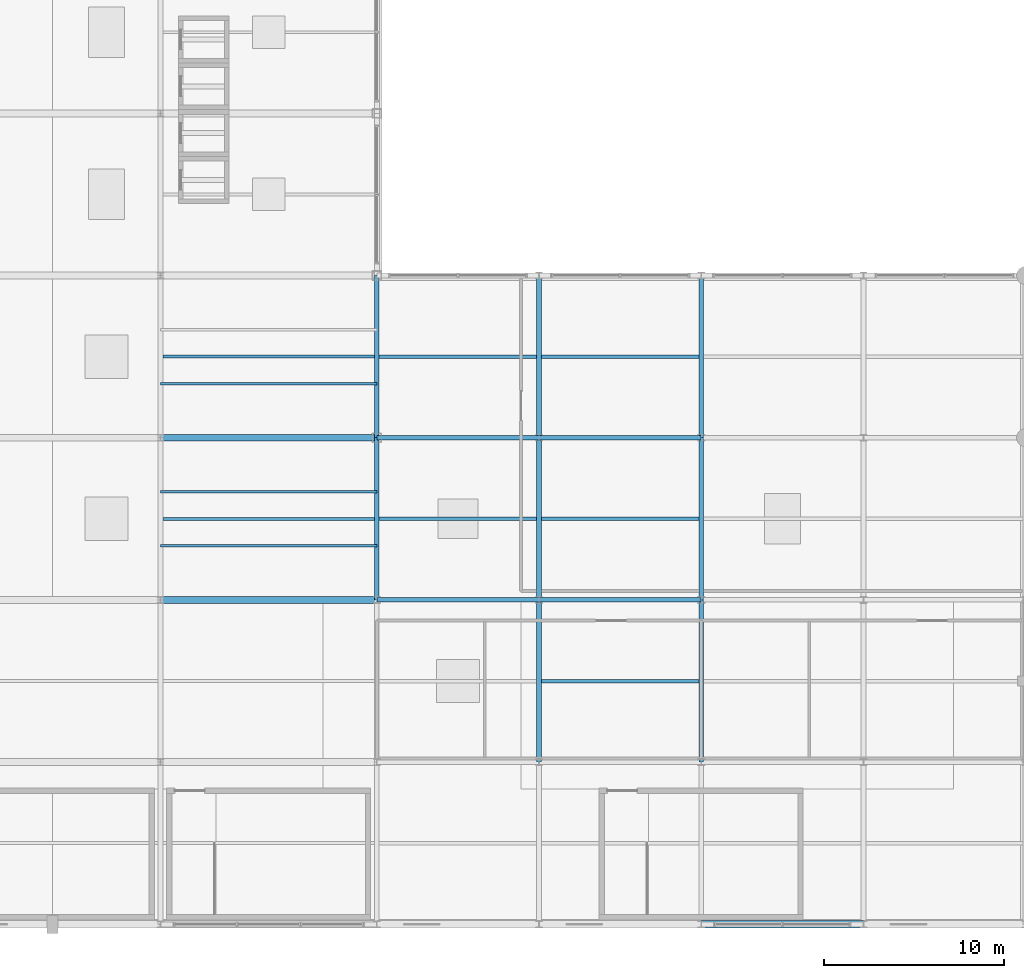
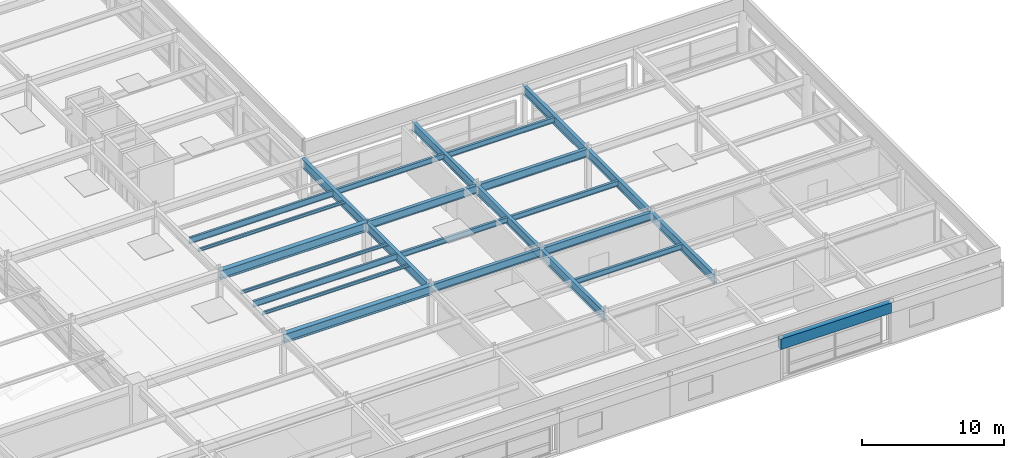
# One storey, part 50 of 108: 22 beams, 3 members.
"""IFC4 building model written with IfcOpenShell, lengths in metres."""

from ifc_helpers import new_model, si_unit, direction, frame, origin, origin_2d, place, context, subcontext, project, spatial, rectangle, i_section, extrude, material, material_profile, profile_set, type_object, element, save


model = new_model("IFC4")

# Units and contexts
model_context = context("Model", 3, precision=1e-05, world=origin(), true_north=direction((0.0, 1.0)))
body_context = subcontext(model_context, "Body", "Model", "MODEL_VIEW")
ifc_project = project(units=[si_unit("LENGTHUNIT", "METRE"), si_unit("AREAUNIT", "SQUARE_METRE"), si_unit("VOLUMEUNIT", "CUBIC_METRE"), si_unit("PLANEANGLEUNIT", "RADIAN"), si_unit("MASSUNIT", "GRAM", prefix="KILO")], contexts=[model_context])

# Site, building, storey
site_placement = place(None, origin())
site = spatial("IfcSite", under=ifc_project, at=site_placement, CompositionType="ELEMENT")
building_placement = place(site_placement, origin())
building = spatial("IfcBuilding", under=site, at=building_placement, Name="Kaldorvane Square Convention Centre", CompositionType="ELEMENT")
storey_placement = place(building_placement, frame((0.0, 0.0, 23.399993896484375)))
storey = spatial("IfcBuildingStorey", under=building, at=storey_placement, Name="L04", CompositionType="ELEMENT", Elevation=23.399993896484375)

# Beams
ifc_material_1 = material(Name="Steel ASTM A992 Gr. 50", Category="steel")
ifc_material_profile_1 = material_profile(ifc_material_1, i_section(OverallWidth=0.25439453125, OverallDepth=0.6880950927734375, WebThickness=0.0131072998046875, FlangeThickness=0.0211029052734375, FilletRadius=0.01519775390625, at=origin_2d()), Name="W27X102")
ifc_profile_set_1 = profile_set([ifc_material_profile_1], Name="Steel ASTM A992 Gr. 50")
beam_type_1 = type_object("IfcBeamType", Name="BM-GR-W27X102", PredefinedType="BEAM", material=ifc_profile_set_1)
for number, where, z_axis, x_axis, name in (
    (1, (138.0, 18.0, 3.1819000244140625), (1.0, 0.0, 0.0), (0.0, 1.0, 0.0), "Primary Girder (L04)"),
    (2, (147.0, 18.0, 3.1819000244140625), (1.0, 0.0, 0.0), (0.0, 1.0, 0.0), "Primary Girder (L04)"),
    (3, (138.0, 27.0, 3.1819000244140625), (1.0, 0.0, 0.0), (0.0, 1.0, 0.0), "Primary Girder (L04)"),
    (4, (147.0, 27.0, 3.1819000244140625), (1.0, 0.0, 0.0), (0.0, 1.0, 0.0), "Primary Girder (L04)"),
):
    element("IfcBeam", number, at=place(storey_placement, frame(where, z_axis=z_axis, x_axis=x_axis)), inside=storey, type_object=beam_type_1, Name=name, PredefinedType="BEAM", context=body_context, shape_type="SweptSolid", body=[
        extrude(i_section(OverallWidth=0.25439453125, OverallDepth=0.6880950927734375, WebThickness=0.0131072998046875, FlangeThickness=0.0211029052734375, FilletRadius=0.01519775390625, at=origin_2d()), origin(), (0.0, 0.0, 1.0), 9.0),
    ])
ifc_material_profile_2 = material_profile(ifc_material_1, i_section(OverallWidth=0.2666015625, OverallDepth=0.762298583984375, WebThickness=0.014404296875, FlangeThickness=0.0216064453125, FilletRadius=0.0164947509765625, at=origin_2d()), Name="W30X116")
ifc_profile_set_2 = profile_set([ifc_material_profile_2], Name="Steel ASTM A992 Gr. 50")
beam_type_2 = type_object("IfcBeamType", Name="BM-GR-W30X116", PredefinedType="BEAM", material=ifc_profile_set_2)
for number, where, z_axis, x_axis, name in (
    (5, (138.0, 18.0, 3.144805908203125), (0.0, 1.0, 0.0), (-1.0, 0.0, 0.0), "Transverse Girder (L04)"),
    (6, (138.0, 27.0, 3.144805908203125), (0.0, 1.0, 0.0), (-1.0, 0.0, 0.0), "Transverse Girder (L04)"),
    (7, (147.0, 9.0, 3.144805908203125), (0.0, 1.0, 0.0), (-1.0, 0.0, 0.0), "Transverse Girder (L04)"),
    (8, (147.0, 18.0, 3.144805908203125), (0.0, 1.0, 0.0), (-1.0, 0.0, 0.0), "Transverse Girder (L04)"),
    (9, (147.0, 27.0, 3.144805908203125), (0.0, 1.0, 0.0), (-1.0, 0.0, 0.0), "Transverse Girder (L04)"),
    (10, (156.0, 9.0, 3.144805908203125), (0.0, 1.0, 0.0), (-1.0, 0.0, 0.0), "Transverse Girder (L04)"),
    (11, (156.0, 18.0, 3.144805908203125), (0.0, 1.0, 0.0), (-1.0, 0.0, 0.0), "Transverse Girder (L04)"),
    (12, (156.0, 27.0, 3.144805908203125), (0.0, 1.0, 0.0), (-1.0, 0.0, 0.0), "Transverse Girder (L04)"),
):
    element("IfcBeam", number, at=place(storey_placement, frame(where, z_axis=z_axis, x_axis=x_axis)), inside=storey, type_object=beam_type_2, Name=name, PredefinedType="BEAM", context=body_context, shape_type="SweptSolid", body=[
        extrude(i_section(OverallWidth=0.2666015625, OverallDepth=0.762298583984375, WebThickness=0.014404296875, FlangeThickness=0.0216064453125, FilletRadius=0.0164947509765625, at=origin_2d()), origin(), (0.0, 0.0, 1.0), 9.0),
    ])
ifc_material_profile_3 = material_profile(ifc_material_1, i_section(OverallWidth=0.380706787109375, OverallDepth=0.773193359375, WebThickness=0.0166015625, FlangeThickness=0.027099609375, FilletRadius=0.0164947509765625, at=origin_2d()), Name="W30X173")
ifc_profile_set_3 = profile_set([ifc_material_profile_3], Name="Steel ASTM A992 Gr. 50")
beam_type_3 = type_object("IfcBeamType", Name="BM-GR-W30X173", PredefinedType="BEAM", material=ifc_profile_set_3)
for number, where, z_axis, x_axis, name in (
    (13, (126.0, 18.0, 3.139404296875), (1.0, 0.0, 0.0), (0.0, 1.0, 0.0), "Primary Girder (L04)"),
    (14, (126.0, 27.0, 3.139404296875), (1.0, 0.0, 0.0), (0.0, 1.0, 0.0), "Primary Girder (L04)"),
):
    element("IfcBeam", number, at=place(storey_placement, frame(where, z_axis=z_axis, x_axis=x_axis)), inside=storey, type_object=beam_type_3, Name=name, PredefinedType="BEAM", context=body_context, shape_type="SweptSolid", body=[
        extrude(i_section(OverallWidth=0.380706787109375, OverallDepth=0.773193359375, WebThickness=0.0166015625, FlangeThickness=0.027099609375, FilletRadius=0.0164947509765625, at=origin_2d()), origin(), (0.0, 0.0, 1.0), 12.0),
    ])
ifc_material_profile_4 = material_profile(ifc_material_1, i_section(OverallWidth=0.1912994384765625, OverallDepth=0.4600067138671875, WebThickness=0.0099029541015625, FlangeThickness=0.0160064697265625, FilletRadius=0.01019287109375, at=origin_2d()), Name="W18X55")
ifc_profile_set_4 = profile_set([ifc_material_profile_4], Name="Steel ASTM A992 Gr. 50")
beam_type_4 = type_object("IfcBeamType", Name="BM-JS-W18X55", PredefinedType="JOIST", material=ifc_profile_set_4)
for number, where, z_axis, x_axis, name in (
    (15, (147.13330078125, 13.5, 3.2960052490234375), (1.0, 0.0, 0.0), (0.0, 1.0, 0.0), "Secondary Floor Joist (L04)"),
    (16, (138.13330078125, 22.5, 3.2960052490234375), (1.0, 0.0, 0.0), (0.0, 1.0, 0.0), "Secondary Floor Joist (L04)"),
    (17, (147.13330078125, 22.5, 3.2960052490234375), (1.0, 0.0, 0.0), (0.0, 1.0, 0.0), "Secondary Floor Joist (L04)"),
    (18, (138.13330078125, 31.5, 3.2960052490234375), (1.0, 0.0, 0.0), (0.0, 1.0, 0.0), "Secondary Floor Joist (L04)"),
    (19, (147.13330078125, 31.5, 3.2960052490234375), (1.0, 0.0, 0.0), (0.0, 1.0, 0.0), "Secondary Floor Joist (L04)"),
):
    element("IfcBeam", number, at=place(storey_placement, frame(where, z_axis=z_axis, x_axis=x_axis)), inside=storey, type_object=beam_type_4, Name=name, PredefinedType="JOIST", context=body_context, shape_type="SweptSolid", body=[
        extrude(i_section(OverallWidth=0.1912994384765625, OverallDepth=0.4600067138671875, WebThickness=0.0099029541015625, FlangeThickness=0.0160064697265625, FilletRadius=0.01019287109375, at=origin_2d()), origin(), (0.0, 0.0, 1.0), 8.7333984375),
    ])
ifc_material_profile_5 = material_profile(ifc_material_1, i_section(OverallWidth=0.1658935546875, OverallDepth=0.5290985107421875, WebThickness=0.00970458984375, FlangeThickness=0.0135955810546875, FilletRadius=0.0126953125, at=origin_2d()), Name="W21X50")
ifc_profile_set_5 = profile_set([ifc_material_profile_5], Name="Steel ASTM A992 Gr. 50")
beam_type_5 = type_object("IfcBeamType", Name="BM-JS-W21X50", PredefinedType="JOIST", material=ifc_profile_set_5)
for number, where, z_axis, x_axis, name in (
    (20, (126.13330078125, 22.5, 3.26141357421875), (1.0, 0.0, 0.0), (0.0, 1.0, 0.0), "Secondary Floor Joist (L04)"),
    (21, (126.13330078125, 31.5, 3.26141357421875), (1.0, 0.0, 0.0), (0.0, 1.0, 0.0), "Secondary Floor Joist (L04)"),
):
    element("IfcBeam", number, at=place(storey_placement, frame(where, z_axis=z_axis, x_axis=x_axis)), inside=storey, type_object=beam_type_5, Name=name, PredefinedType="JOIST", context=body_context, shape_type="SweptSolid", body=[
        extrude(i_section(OverallWidth=0.1658935546875, OverallDepth=0.5290985107421875, WebThickness=0.00970458984375, FlangeThickness=0.0135955810546875, FilletRadius=0.0126953125, at=origin_2d()), origin(), (0.0, 0.0, 1.0), 11.7333984375),
    ])
ifc_material_2 = material(Name="Concrete f'c = 42 MPa (Normalweight)", Category="concrete")
ifc_material_profile_6 = material_profile(ifc_material_2, rectangle(XDim=0.399993896484375, YDim=0.899993896484375, at=origin_2d()), Name="RCSP900X400")
ifc_profile_set_6 = profile_set([ifc_material_profile_6], Name="Concrete f'c = 42 MPa (Normalweight)")
beam_type_6 = type_object("IfcBeamType", Name="BM-SP-RC900", PredefinedType="SPANDREL", material=ifc_profile_set_6)
beam_placement = place(storey_placement, frame((156.0, 0.0, 3.0760040283203125), z_axis=(1.0, 0.0, 0.0), x_axis=(0.0, 1.0, 0.0)))
element("IfcBeam", 22, at=beam_placement, inside=storey, type_object=beam_type_6, Name="Perimeter Spandrel (L04)", PredefinedType="SPANDREL", context=body_context, shape_type="SweptSolid", body=[
    extrude(rectangle(XDim=0.399993896484375, YDim=0.899993896484375, at=origin_2d()), origin(), (0.0, 0.0, 1.0), 9.0),
])

# Members
ifc_material_profile_7 = material_profile(ifc_material_1, i_section(OverallWidth=0.1461029052734375, OverallDepth=0.25830078125, WebThickness=0.006103515625, FlangeThickness=0.00909423828125, FilletRadius=0.007598876953125, at=origin_2d()), Name="W10X22")
ifc_profile_set_7 = profile_set([ifc_material_profile_7], Name="Steel ASTM A992 Gr. 50")
member_type = type_object("IfcMemberType", Name="MB-PR-W10X22", PredefinedType="PURLIN", material=ifc_profile_set_7)
for number, where, z_axis, x_axis, name in (
    (23, (126.0, 21.0, 3.3889007568359375), (1.0, 0.0, 0.0), (0.0, 1.0, 0.0), "Skylight Roof Purlin"),
    (24, (126.0, 24.0, 3.3889007568359375), (1.0, 0.0, 0.0), (0.0, 1.0, 0.0), "Skylight Roof Purlin"),
    (25, (126.0, 30.0, 3.3889007568359375), (1.0, 0.0, 0.0), (0.0, 1.0, 0.0), "Skylight Roof Purlin"),
):
    element("IfcMember", number, at=place(storey_placement, frame(where, z_axis=z_axis, x_axis=x_axis)), inside=storey, type_object=member_type, Name=name, PredefinedType="PURLIN", context=body_context, shape_type="SweptSolid", body=[
        extrude(i_section(OverallWidth=0.1461029052734375, OverallDepth=0.25830078125, WebThickness=0.006103515625, FlangeThickness=0.00909423828125, FilletRadius=0.007598876953125, at=origin_2d()), origin(), (0.0, 0.0, 1.0), 12.0),
    ])

save(model, "model.ifc")
